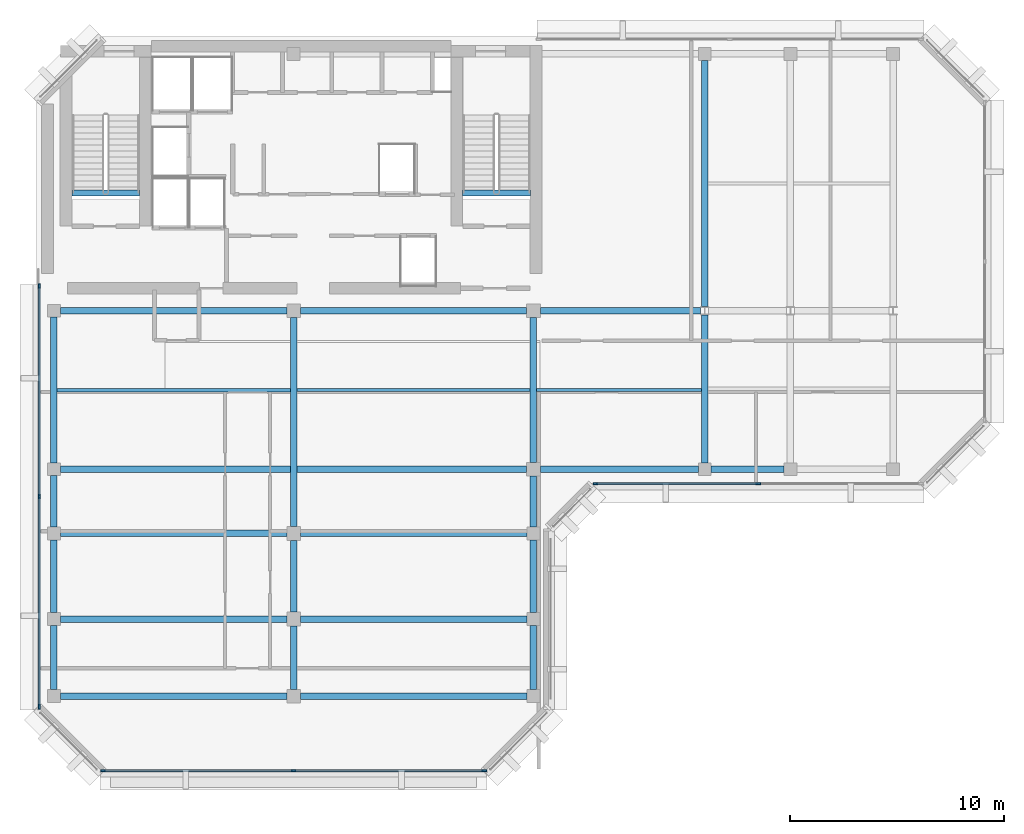
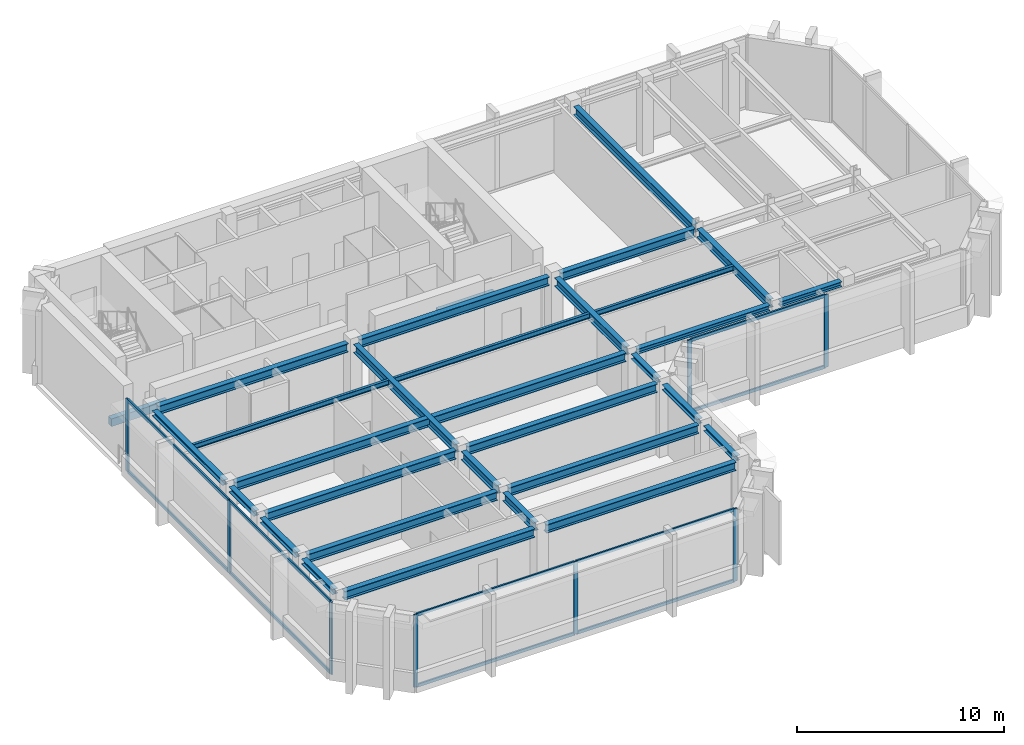
# One storey, part 2 of 9: 30 beams, 18 members, 3 elements without a shape of their own.
"""IFC4 building model written with IfcOpenShell, lengths in metres."""

from ifc_helpers import new_model, si_unit, direction, frame, origin, origin_2d, place, context, subcontext, project, spatial, rectangle, i_section, extrude, material, layer, layer_set, material_profile, profile_set, type_object, element, aggregate, save


model = new_model("IFC4")

# Units and contexts
model_context = context("Model", 3, precision=1e-05, world=origin(), true_north=direction((0.0, 1.0)))
body_context = subcontext(model_context, "Body", "Model", "MODEL_VIEW")
ifc_project = project(units=[si_unit("LENGTHUNIT", "METRE"), si_unit("AREAUNIT", "SQUARE_METRE"), si_unit("VOLUMEUNIT", "CUBIC_METRE"), si_unit("PLANEANGLEUNIT", "RADIAN"), si_unit("MASSUNIT", "GRAM", prefix="KILO")], contexts=[model_context])

# Site, building, storey
site_placement = place(None, origin())
site = spatial("IfcSite", under=ifc_project, at=site_placement, CompositionType="ELEMENT")
building_placement = place(site_placement, origin())
building = spatial("IfcBuilding", under=site, at=building_placement, Name="Kefirva Bronze Tower", CompositionType="ELEMENT")
storey_placement = place(building_placement, frame((0.0, 0.0, 361.35009765625)))
storey = spatial("IfcBuildingStorey", under=building, at=storey_placement, Name="L88", CompositionType="ELEMENT", Elevation=361.35009765625)

# Curtain wall, members
ifc_material_1 = material(Name="Bronze anodised aluminium", Category="aluminium")
ifc_layer = layer(ifc_material_1, 0.219970703125, Name="Bronze anodised aluminium")
ifc_layer_set = layer_set([ifc_layer], Name="Bronze anodised aluminium")
curtain_wall_type = type_object("IfcCurtainWallType", Name="Slanted Crown Faceted Bronze Curtain Wall", PredefinedType="USERDEFINED", material=ifc_layer_set)
curtain_wall_1_placement = place(storey_placement, origin())
curtain_wall_1 = element("IfcCurtainWall", 1, at=curtain_wall_1_placement, inside=storey, type_object=curtain_wall_type, Name="L88 Curtain Wall 1", ObjectType="UNITISED CURTAIN WALL", PredefinedType="USERDEFINED")
ifc_material_profile_1 = material_profile(ifc_material_1, rectangle(XDim=0.090087890625, YDim=0.219970703125, at=origin_2d()), Name="ALU 90x220")
ifc_profile_set_1 = profile_set([ifc_material_profile_1], Name="Bronze anodised aluminium")
member_type_1 = type_object("IfcMemberType", Name="Bronze Mullion 90x220", PredefinedType="MULLION", material=ifc_profile_set_1)
member_1_placement = place(storey_placement, frame((3.10009765625, 11.719970703125, 0.0), z_axis=(0.0, 0.0, 1.0), x_axis=(0.0, 1.0, 0.0)))
member_1 = element("IfcMember", 2, at=member_1_placement, type_object=member_type_1, Name="CW-07 mullion 1", PredefinedType="MULLION", context=body_context, shape_type="SweptSolid", body=[
    extrude(rectangle(XDim=0.090087890625, YDim=0.219970703125, at=origin_2d()), origin(), (0.0, 0.0, 1.0), 4.27001953125),
])
member_2_placement = place(storey_placement, frame((12.0, 11.719970703125, 0.0), z_axis=(0.0, 0.0, 1.0), x_axis=(0.0, 1.0, 0.0)))
member_2 = element("IfcMember", 3, at=member_2_placement, type_object=member_type_1, Name="CW-07 mullion 2", PredefinedType="MULLION", context=body_context, shape_type="SweptSolid", body=[
    extrude(rectangle(XDim=0.090087890625, YDim=0.219970703125, at=origin_2d()), origin(), (0.0, 0.0, 1.0), 4.27001953125),
])
member_3_placement = place(storey_placement, frame((20.89990234375, 11.719970703125, 0.0), z_axis=(0.0, 0.0, 1.0), x_axis=(0.0, 1.0, 0.0)))
member_3 = element("IfcMember", 4, at=member_3_placement, type_object=member_type_1, Name="CW-07 mullion 3", PredefinedType="MULLION", context=body_context, shape_type="SweptSolid", body=[
    extrude(rectangle(XDim=0.090087890625, YDim=0.219970703125, at=origin_2d()), origin(), (0.0, 0.0, 1.0), 4.27001953125),
])

curtain_wall_2_placement = place(storey_placement, origin())
curtain_wall_2 = element("IfcCurtainWall", 5, at=curtain_wall_2_placement, inside=storey, type_object=curtain_wall_type, Name="L88 Curtain Wall 2", ObjectType="UNITISED CURTAIN WALL", PredefinedType="USERDEFINED")
member_4_placement = place(storey_placement, frame((26.10009765625, 25.1201171875, 0.0), z_axis=(0.0, 0.0, 1.0), x_axis=(0.0, 1.0, 0.0)))
member_4 = element("IfcMember", 6, at=member_4_placement, type_object=member_type_1, Name="CW-07 mullion 1", PredefinedType="MULLION", context=body_context, shape_type="SweptSolid", body=[
    extrude(rectangle(XDim=0.090087890625, YDim=0.219970703125, at=origin_2d()), origin(), (0.0, 0.0, 1.0), 4.27001953125),
])
member_5_placement = place(storey_placement, frame((33.699951171875, 25.1201171875, 0.0), z_axis=(0.0, 0.0, 1.0), x_axis=(0.0, 1.0, 0.0)))
member_5 = element("IfcMember", 7, at=member_5_placement, type_object=member_type_1, Name="CW-07 mullion 2", PredefinedType="MULLION", context=body_context, shape_type="SweptSolid", body=[
    extrude(rectangle(XDim=0.090087890625, YDim=0.219970703125, at=origin_2d()), origin(), (0.0, 0.0, 1.0), 4.27001953125),
])

curtain_wall_3_placement = place(storey_placement, origin())
curtain_wall_3 = element("IfcCurtainWall", 8, at=curtain_wall_3_placement, inside=storey, type_object=curtain_wall_type, Name="L88 Curtain Wall 5", ObjectType="UNITISED CURTAIN WALL", PredefinedType="USERDEFINED")
member_6_placement = place(storey_placement, frame((0.1201171875, 34.35009765625, 0.0), z_axis=(0.0, 0.0, 1.0), x_axis=(1.0, 0.0, 0.0)))
member_6 = element("IfcMember", 9, at=member_6_placement, type_object=member_type_1, Name="CW-07 mullion 1", PredefinedType="MULLION", context=body_context, shape_type="SweptSolid", body=[
    extrude(rectangle(XDim=0.090087890625, YDim=0.219970703125, at=origin_2d()), origin(), (0.0, 0.0, 1.0), 4.27001953125),
])
member_7_placement = place(storey_placement, frame((0.1201171875, 24.52490234375, 0.0), z_axis=(0.0, 0.0, 1.0), x_axis=(1.0, 0.0, 0.0)))
member_7 = element("IfcMember", 10, at=member_7_placement, type_object=member_type_1, Name="CW-07 mullion 2", PredefinedType="MULLION", context=body_context, shape_type="SweptSolid", body=[
    extrude(rectangle(XDim=0.090087890625, YDim=0.219970703125, at=origin_2d()), origin(), (0.0, 0.0, 1.0), 4.27001953125),
])
member_8_placement = place(storey_placement, frame((0.1201171875, 14.699951171875, 0.0), z_axis=(0.0, 0.0, 1.0), x_axis=(1.0, 0.0, 0.0)))
member_8 = element("IfcMember", 11, at=member_8_placement, type_object=member_type_1, Name="CW-07 mullion 3", PredefinedType="MULLION", context=body_context, shape_type="SweptSolid", body=[
    extrude(rectangle(XDim=0.090087890625, YDim=0.219970703125, at=origin_2d()), origin(), (0.0, 0.0, 1.0), 4.27001953125),
])

# Member
ifc_material_profile_2 = material_profile(ifc_material_1, rectangle(XDim=0.090087890625, YDim=0.179931640625, at=origin_2d()), Name="ALU 90x180")
ifc_profile_set_2 = profile_set([ifc_material_profile_2], Name="Bronze anodised aluminium")
member_type_2 = type_object("IfcMemberType", Name="Bronze Transom 90x180", PredefinedType="USERDEFINED", material=ifc_profile_set_2)
member_9_placement = place(storey_placement, frame((3.14501953125, 11.719970703125, 0.044921875), z_axis=(1.0, 0.0, 0.0), x_axis=(0.0, 1.0, 0.0)))
member_9 = element("IfcMember", 12, at=member_9_placement, type_object=member_type_2, Name="CW-07 transom 1.1", ObjectType="TRANSOM", PredefinedType="USERDEFINED", context=body_context, shape_type="SweptSolid", body=[
    extrude(rectangle(XDim=0.090087890625, YDim=0.179931640625, at=origin_2d()), origin(), (0.0, 0.0, 1.0), 8.81005859375),
])

member_10_placement = place(storey_placement, frame((3.14501953125, 11.719970703125, 4.224853515625), z_axis=(1.0, 0.0, 0.0), x_axis=(0.0, 1.0, 0.0)))
member_10 = element("IfcMember", 13, at=member_10_placement, type_object=member_type_2, Name="CW-07 transom 1.2", ObjectType="TRANSOM", PredefinedType="USERDEFINED", context=body_context, shape_type="SweptSolid", body=[
    extrude(rectangle(XDim=0.090087890625, YDim=0.179931640625, at=origin_2d()), origin(), (0.0, 0.0, 1.0), 8.81005859375),
])

member_11_placement = place(storey_placement, frame((12.044921875, 11.719970703125, 0.044921875), z_axis=(1.0, 0.0, 0.0), x_axis=(0.0, 1.0, 0.0)))
member_11 = element("IfcMember", 14, at=member_11_placement, type_object=member_type_2, Name="CW-07 transom 2.1", ObjectType="TRANSOM", PredefinedType="USERDEFINED", context=body_context, shape_type="SweptSolid", body=[
    extrude(rectangle(XDim=0.090087890625, YDim=0.179931640625, at=origin_2d()), origin(), (0.0, 0.0, 1.0), 8.81005859375),
])

member_12_placement = place(storey_placement, frame((12.044921875, 11.719970703125, 4.224853515625), z_axis=(1.0, 0.0, 0.0), x_axis=(0.0, 1.0, 0.0)))
member_12 = element("IfcMember", 15, at=member_12_placement, type_object=member_type_2, Name="CW-07 transom 2.2", ObjectType="TRANSOM", PredefinedType="USERDEFINED", context=body_context, shape_type="SweptSolid", body=[
    extrude(rectangle(XDim=0.090087890625, YDim=0.179931640625, at=origin_2d()), origin(), (0.0, 0.0, 1.0), 8.81005859375),
])

aggregate(curtain_wall_1, [member_1, member_2, member_3, member_9, member_10, member_11, member_12])

member_13_placement = place(storey_placement, frame((26.14501953125, 25.1201171875, 0.044921875), z_axis=(1.0, 0.0, 0.0), x_axis=(0.0, 1.0, 0.0)))
member_13 = element("IfcMember", 16, at=member_13_placement, type_object=member_type_2, Name="CW-07 transom 1.1", ObjectType="TRANSOM", PredefinedType="USERDEFINED", context=body_context, shape_type="SweptSolid", body=[
    extrude(rectangle(XDim=0.090087890625, YDim=0.179931640625, at=origin_2d()), origin(), (0.0, 0.0, 1.0), 7.510009765625),
])

member_14_placement = place(storey_placement, frame((26.14501953125, 25.1201171875, 4.224853515625), z_axis=(1.0, 0.0, 0.0), x_axis=(0.0, 1.0, 0.0)))
member_14 = element("IfcMember", 17, at=member_14_placement, type_object=member_type_2, Name="CW-07 transom 1.2", ObjectType="TRANSOM", PredefinedType="USERDEFINED", context=body_context, shape_type="SweptSolid", body=[
    extrude(rectangle(XDim=0.090087890625, YDim=0.179931640625, at=origin_2d()), origin(), (0.0, 0.0, 1.0), 7.510009765625),
])

aggregate(curtain_wall_2, [member_4, member_5, member_13, member_14])

member_15_placement = place(storey_placement, frame((0.1201171875, 34.304931640625, 0.044921875), z_axis=(0.0, -1.0, 0.0), x_axis=(1.0, 0.0, 0.0)))
member_15 = element("IfcMember", 18, at=member_15_placement, type_object=member_type_2, Name="CW-07 transom 1.1", ObjectType="TRANSOM", PredefinedType="USERDEFINED", context=body_context, shape_type="SweptSolid", body=[
    extrude(rectangle(XDim=0.090087890625, YDim=0.179931640625, at=origin_2d()), origin(), (0.0, 0.0, 1.0), 9.73486328125),
])

member_16_placement = place(storey_placement, frame((0.1201171875, 34.304931640625, 4.224853515625), z_axis=(0.0, -1.0, 0.0), x_axis=(1.0, 0.0, 0.0)))
member_16 = element("IfcMember", 19, at=member_16_placement, type_object=member_type_2, Name="CW-07 transom 1.2", ObjectType="TRANSOM", PredefinedType="USERDEFINED", context=body_context, shape_type="SweptSolid", body=[
    extrude(rectangle(XDim=0.090087890625, YDim=0.179931640625, at=origin_2d()), origin(), (0.0, 0.0, 1.0), 9.73486328125),
])

member_17_placement = place(storey_placement, frame((0.1201171875, 24.47998046875, 0.044921875), z_axis=(0.0, -1.0, 0.0), x_axis=(1.0, 0.0, 0.0)))
member_17 = element("IfcMember", 20, at=member_17_placement, type_object=member_type_2, Name="CW-07 transom 2.1", ObjectType="TRANSOM", PredefinedType="USERDEFINED", context=body_context, shape_type="SweptSolid", body=[
    extrude(rectangle(XDim=0.090087890625, YDim=0.179931640625, at=origin_2d()), origin(), (0.0, 0.0, 1.0), 9.73486328125),
])

member_18_placement = place(storey_placement, frame((0.1201171875, 24.47998046875, 4.224853515625), z_axis=(0.0, -1.0, 0.0), x_axis=(1.0, 0.0, 0.0)))
member_18 = element("IfcMember", 21, at=member_18_placement, type_object=member_type_2, Name="CW-07 transom 2.2", ObjectType="TRANSOM", PredefinedType="USERDEFINED", context=body_context, shape_type="SweptSolid", body=[
    extrude(rectangle(XDim=0.090087890625, YDim=0.179931640625, at=origin_2d()), origin(), (0.0, 0.0, 1.0), 9.73486328125),
])

aggregate(curtain_wall_3, [member_6, member_7, member_8, member_15, member_16, member_17, member_18])

# Beams
ifc_material_2 = material(Name="Concrete C50/60", Category="concrete")
ifc_material_profile_3 = material_profile(ifc_material_2, rectangle(XDim=0.300048828125, YDim=0.449951171875, at=origin_2d()), Name="RC 300x450")
ifc_profile_set_3 = profile_set([ifc_material_profile_3], Name="Concrete C50/60")
beam_type_1 = type_object("IfcBeamType", Name="RC Stair Trimmer Beam 300x450", PredefinedType="BEAM", material=ifc_profile_set_3)
beam_1_placement = place(storey_placement, frame((1.64501953125, 38.699951171875, -0.22509765625), z_axis=(1.0, 0.0, 0.0), x_axis=(0.0, 1.0, 0.0)))
element("IfcBeam", 22, at=beam_1_placement, inside=storey, type_object=beam_type_1, Name="L88 Stair 1 Landing Trimmer Beam", PredefinedType="BEAM", context=body_context, shape_type="SweptSolid", body=[
    extrude(rectangle(XDim=0.300048828125, YDim=0.449951171875, at=origin_2d()), origin(), (0.0, 0.0, 1.0), 3.14990234375),
])
beam_2_placement = place(storey_placement, frame((19.89501953125, 38.699951171875, -0.22509765625), z_axis=(1.0, 0.0, 0.0), x_axis=(0.0, 1.0, 0.0)))
element("IfcBeam", 23, at=beam_2_placement, inside=storey, type_object=beam_type_1, Name="L88 Stair 2 Landing Trimmer Beam", PredefinedType="BEAM", context=body_context, shape_type="SweptSolid", body=[
    extrude(rectangle(XDim=0.300048828125, YDim=0.449951171875, at=origin_2d()), origin(), (0.0, 0.0, 1.0), 3.159912109375),
])
ifc_material_3 = material(Name="Steel S355", Category="steel")
ifc_material_profile_4 = material_profile(ifc_material_3, i_section(OverallWidth=0.14990234375, OverallDepth=0.300048828125, WebThickness=0.007080078125, FlangeThickness=0.0107421875, at=origin_2d()), Name="IPE 300")
ifc_profile_set_4 = profile_set([ifc_material_profile_4], Name="Steel S355")
beam_type_2 = type_object("IfcBeamType", Name="Steel Floor Joist IPE 300", PredefinedType="JOIST", material=ifc_profile_set_4)
for number, where, z_axis, x_axis, name in (
    (24, (0.949951171875, 29.489990234375, 4.119873046875), (1.0, 0.0, 0.0), (0.0, 1.0, 0.0), "L88 JST-L88-0-294"),
    (25, (12.14990234375, 29.5, 4.119873046875), (1.0, 0.0, 0.0), (0.0, 1.0, 0.0), "L88 JST-L88-12-295"),
):
    element("IfcBeam", number, at=place(storey_placement, frame(where, z_axis=z_axis, x_axis=x_axis)), inside=storey, type_object=beam_type_2, Name=name, PredefinedType="JOIST", context=body_context, shape_type="SweptSolid", body=[
        extrude(i_section(OverallWidth=0.14990234375, OverallDepth=0.300048828125, WebThickness=0.007080078125, FlangeThickness=0.0107421875, at=origin_2d()), origin(), (0.0, 0.0, 1.0), 10.900146484375),
    ])
beam_3_placement = place(storey_placement, frame((23.35009765625, 29.5, 4.119873046875), z_axis=(1.0, 0.0, 0.0), x_axis=(0.0, 1.0, 0.0)))
element("IfcBeam", 26, at=beam_3_placement, inside=storey, type_object=beam_type_2, Name="L88 JST-L88-23-295", PredefinedType="JOIST", context=body_context, shape_type="SweptSolid", body=[
    extrude(i_section(OverallWidth=0.14990234375, OverallDepth=0.300048828125, WebThickness=0.007080078125, FlangeThickness=0.0107421875, at=origin_2d()), origin(), (0.0, 0.0, 1.0), 7.699951171875),
])
ifc_material_profile_5 = material_profile(ifc_material_3, i_section(OverallWidth=0.300048828125, OverallDepth=0.5, WebThickness=0.014404296875, FlangeThickness=0.028076171875, at=origin_2d()), Name="HEB 500")
ifc_profile_set_5 = profile_set([ifc_material_profile_5], Name="Steel S355")
beam_type_3 = type_object("IfcBeamType", Name="Steel Girder HEB 500", PredefinedType="USERDEFINED", material=ifc_profile_set_5)
for number, where, z_axis, x_axis, name in (
    (27, (1.10009765625, 15.199951171875, 4.02001953125), (1.0, 0.0, 0.0), (0.0, 1.0, 0.0), "L88 BM-L88-EW-0-152"),
    (28, (12.320068359375, 15.199951171875, 4.02001953125), (1.0, 0.0, 0.0), (0.0, 1.0, 0.0), "L88 BM-L88-EW-12-152"),
    (29, (1.10009765625, 18.800048828125, 4.02001953125), (1.0, 0.0, 0.0), (0.0, 1.0, 0.0), "L88 BM-L88-EW-0-188"),
    (30, (12.320068359375, 18.800048828125, 4.02001953125), (1.0, 0.0, 0.0), (0.0, 1.0, 0.0), "L88 BM-L88-EW-12-188"),
    (31, (1.10009765625, 22.800048828125, 4.02001953125), (1.0, 0.0, 0.0), (0.0, 1.0, 0.0), "L88 BM-L88-EW-0-228"),
    (32, (12.320068359375, 22.800048828125, 4.02001953125), (1.0, 0.0, 0.0), (0.0, 1.0, 0.0), "L88 BM-L88-EW-12-228"),
):
    element("IfcBeam", number, at=place(storey_placement, frame(where, z_axis=z_axis, x_axis=x_axis)), inside=storey, type_object=beam_type_3, Name=name, ObjectType="GIRDER", PredefinedType="USERDEFINED", context=body_context, shape_type="SweptSolid", body=[
        extrude(i_section(OverallWidth=0.300048828125, OverallDepth=0.5, WebThickness=0.014404296875, FlangeThickness=0.028076171875, at=origin_2d()), origin(), (0.0, 0.0, 1.0), 10.579833984375),
    ])
beam_4_placement = place(storey_placement, frame((1.10009765625, 25.800048828125, 4.02001953125), z_axis=(1.0, 0.0, 0.0), x_axis=(0.0, 1.0, 0.0)))
element("IfcBeam", 33, at=beam_4_placement, inside=storey, type_object=beam_type_3, Name="L88 BM-L88-EW-0-258", ObjectType="GIRDER", PredefinedType="USERDEFINED", context=body_context, shape_type="SweptSolid", body=[
    extrude(i_section(OverallWidth=0.300048828125, OverallDepth=0.5, WebThickness=0.014404296875, FlangeThickness=0.028076171875, at=origin_2d()), origin(), (0.0, 0.0, 1.0), 21.77978515625),
])
beam_5_placement = place(storey_placement, frame((1.10009765625, 33.199951171875, 4.02001953125), z_axis=(1.0, 0.0, 0.0), x_axis=(0.0, 1.0, 0.0)))
element("IfcBeam", 34, at=beam_5_placement, inside=storey, type_object=beam_type_3, Name="L88 BM-L88-EW-0-332", ObjectType="GIRDER", PredefinedType="USERDEFINED", context=body_context, shape_type="SweptSolid", body=[
    extrude(i_section(OverallWidth=0.300048828125, OverallDepth=0.5, WebThickness=0.014404296875, FlangeThickness=0.028076171875, at=origin_2d()), origin(), (0.0, 0.0, 1.0), 10.579833984375),
])
beam_6_placement = place(storey_placement, frame((12.320068359375, 33.199951171875, 4.02001953125), z_axis=(1.0, 0.0, 0.0), x_axis=(0.0, 1.0, 0.0)))
element("IfcBeam", 35, at=beam_6_placement, inside=storey, type_object=beam_type_3, Name="L88 BM-L88-EW-12-332", ObjectType="GIRDER", PredefinedType="USERDEFINED", context=body_context, shape_type="SweptSolid", body=[
    extrude(i_section(OverallWidth=0.300048828125, OverallDepth=0.5, WebThickness=0.014404296875, FlangeThickness=0.028076171875, at=origin_2d()), origin(), (0.0, 0.0, 1.0), 10.559814453125),
])
beam_7_placement = place(storey_placement, frame((23.52001953125, 33.199951171875, 4.02001953125), z_axis=(1.0, 0.0, 0.0), x_axis=(0.0, 1.0, 0.0)))
element("IfcBeam", 36, at=beam_7_placement, inside=storey, type_object=beam_type_3, Name="L88 BM-L88-EW-23-332", ObjectType="GIRDER", PredefinedType="USERDEFINED", context=body_context, shape_type="SweptSolid", body=[
    extrude(i_section(OverallWidth=0.300048828125, OverallDepth=0.5, WebThickness=0.014404296875, FlangeThickness=0.028076171875, at=origin_2d()), origin(), (0.0, 0.0, 1.0), 7.491455078125),
])
beam_8_placement = place(storey_placement, frame((12.0, 15.52001953125, 4.02001953125), z_axis=(0.0, 1.0, 0.0), x_axis=(-1.0, 0.0, 0.0)))
element("IfcBeam", 37, at=beam_8_placement, inside=storey, type_object=beam_type_3, Name="L88 BM-L88-NS-120-15", ObjectType="GIRDER", PredefinedType="USERDEFINED", context=body_context, shape_type="SweptSolid", body=[
    extrude(i_section(OverallWidth=0.300048828125, OverallDepth=0.5, WebThickness=0.014404296875, FlangeThickness=0.028076171875, at=origin_2d()), origin(), (0.0, 0.0, 1.0), 2.9599609375),
])
beam_9_placement = place(storey_placement, frame((12.0, 19.1201171875, 4.02001953125), z_axis=(0.0, 1.0, 0.0), x_axis=(-1.0, 0.0, 0.0)))
element("IfcBeam", 38, at=beam_9_placement, inside=storey, type_object=beam_type_3, Name="L88 BM-L88-NS-120-18", ObjectType="GIRDER", PredefinedType="USERDEFINED", context=body_context, shape_type="SweptSolid", body=[
    extrude(i_section(OverallWidth=0.300048828125, OverallDepth=0.5, WebThickness=0.014404296875, FlangeThickness=0.028076171875, at=origin_2d()), origin(), (0.0, 0.0, 1.0), 3.35986328125),
])
beam_10_placement = place(storey_placement, frame((12.0, 23.1201171875, 4.02001953125), z_axis=(0.0, 1.0, 0.0), x_axis=(-1.0, 0.0, 0.0)))
element("IfcBeam", 39, at=beam_10_placement, inside=storey, type_object=beam_type_3, Name="L88 BM-L88-NS-120-22", ObjectType="GIRDER", PredefinedType="USERDEFINED", context=body_context, shape_type="SweptSolid", body=[
    extrude(i_section(OverallWidth=0.300048828125, OverallDepth=0.5, WebThickness=0.014404296875, FlangeThickness=0.028076171875, at=origin_2d()), origin(), (0.0, 0.0, 1.0), 9.759765625),
])
beam_11_placement = place(storey_placement, frame((23.199951171875, 26.1201171875, 4.02001953125), z_axis=(0.0, 1.0, 0.0), x_axis=(-1.0, 0.0, 0.0)))
element("IfcBeam", 40, at=beam_11_placement, inside=storey, type_object=beam_type_3, Name="L88 BM-L88-NS-232-25", ObjectType="GIRDER", PredefinedType="USERDEFINED", context=body_context, shape_type="SweptSolid", body=[
    extrude(i_section(OverallWidth=0.300048828125, OverallDepth=0.5, WebThickness=0.014404296875, FlangeThickness=0.028076171875, at=origin_2d()), origin(), (0.0, 0.0, 1.0), 6.759765625),
])
beam_12_placement = place(storey_placement, frame((31.199951171875, 26.10009765625, 4.02001953125), z_axis=(0.0, 1.0, 0.0), x_axis=(-1.0, 0.0, 0.0)))
element("IfcBeam", 41, at=beam_12_placement, inside=storey, type_object=beam_type_3, Name="L88 BM-L88-NS-312-25", ObjectType="GIRDER", PredefinedType="USERDEFINED", context=body_context, shape_type="SweptSolid", body=[
    extrude(i_section(OverallWidth=0.300048828125, OverallDepth=0.5, WebThickness=0.014404296875, FlangeThickness=0.028076171875, at=origin_2d()), origin(), (0.0, 0.0, 1.0), 6.906494140625),
])
beam_13_placement = place(storey_placement, frame((31.199951171875, 33.3935546875, 4.02001953125), z_axis=(0.0, 1.0, 0.0), x_axis=(-1.0, 0.0, 0.0)))
element("IfcBeam", 42, at=beam_13_placement, inside=storey, type_object=beam_type_3, Name="L88 BM-L88-NS-312-33", ObjectType="GIRDER", PredefinedType="USERDEFINED", context=body_context, shape_type="SweptSolid", body=[
    extrude(i_section(OverallWidth=0.300048828125, OverallDepth=0.5, WebThickness=0.014404296875, FlangeThickness=0.028076171875, at=origin_2d()), origin(), (0.0, 0.0, 1.0), 11.50634765625),
])
ifc_material_profile_6 = material_profile(ifc_material_3, i_section(OverallWidth=0.300048828125, OverallDepth=0.300048828125, WebThickness=0.010986328125, FlangeThickness=0.01904296875, at=origin_2d()), Name="HEB 300")
ifc_profile_set_6 = profile_set([ifc_material_profile_6], Name="Steel S355")
beam_type_4 = type_object("IfcBeamType", Name="Steel Spandrel HEB 300 Ext", PredefinedType="SPANDREL", material=ifc_profile_set_6)
beam_14_placement = place(storey_placement, frame((23.52001953125, 25.800048828125, 4.119873046875), z_axis=(1.0, 0.0, 0.0), x_axis=(0.0, 1.0, 0.0)))
element("IfcBeam", 43, at=beam_14_placement, inside=storey, type_object=beam_type_4, Name="L88 BM-L88-EW-23-258", PredefinedType="SPANDREL", context=body_context, shape_type="SweptSolid", body=[
    extrude(i_section(OverallWidth=0.300048828125, OverallDepth=0.300048828125, WebThickness=0.010986328125, FlangeThickness=0.01904296875, at=origin_2d()), origin(), (0.0, 0.0, 1.0), 7.3798828125),
])
beam_15_placement = place(storey_placement, frame((31.5, 25.800048828125, 4.119873046875), z_axis=(1.0, 0.0, 0.0), x_axis=(0.0, 1.0, 0.0)))
element("IfcBeam", 44, at=beam_15_placement, inside=storey, type_object=beam_type_4, Name="L88 BM-L88-EW-31-258", PredefinedType="SPANDREL", context=body_context, shape_type="SweptSolid", body=[
    extrude(i_section(OverallWidth=0.300048828125, OverallDepth=0.300048828125, WebThickness=0.010986328125, FlangeThickness=0.01904296875, at=origin_2d()), origin(), (0.0, 0.0, 1.0), 3.39990234375),
])
beam_16_placement = place(storey_placement, frame((0.800048828125, 15.5, 4.119873046875), z_axis=(0.0, 1.0, 0.0), x_axis=(-1.0, 0.0, 0.0)))
element("IfcBeam", 45, at=beam_16_placement, inside=storey, type_object=beam_type_4, Name="L88 BM-L88-NS-8-15", PredefinedType="SPANDREL", context=body_context, shape_type="SweptSolid", body=[
    extrude(i_section(OverallWidth=0.300048828125, OverallDepth=0.300048828125, WebThickness=0.010986328125, FlangeThickness=0.01904296875, at=origin_2d()), origin(), (0.0, 0.0, 1.0), 3.0),
])
beam_17_placement = place(storey_placement, frame((0.800048828125, 19.10009765625, 4.119873046875), z_axis=(0.0, 1.0, 0.0), x_axis=(-1.0, 0.0, 0.0)))
element("IfcBeam", 46, at=beam_17_placement, inside=storey, type_object=beam_type_4, Name="L88 BM-L88-NS-8-18", PredefinedType="SPANDREL", context=body_context, shape_type="SweptSolid", body=[
    extrude(i_section(OverallWidth=0.300048828125, OverallDepth=0.300048828125, WebThickness=0.010986328125, FlangeThickness=0.01904296875, at=origin_2d()), origin(), (0.0, 0.0, 1.0), 3.39990234375),
])
beam_18_placement = place(storey_placement, frame((0.800048828125, 23.10009765625, 4.119873046875), z_axis=(0.0, 1.0, 0.0), x_axis=(-1.0, 0.0, 0.0)))
element("IfcBeam", 47, at=beam_18_placement, inside=storey, type_object=beam_type_4, Name="L88 BM-L88-NS-8-22", PredefinedType="SPANDREL", context=body_context, shape_type="SweptSolid", body=[
    extrude(i_section(OverallWidth=0.300048828125, OverallDepth=0.300048828125, WebThickness=0.010986328125, FlangeThickness=0.01904296875, at=origin_2d()), origin(), (0.0, 0.0, 1.0), 2.39990234375),
])
beam_19_placement = place(storey_placement, frame((0.800048828125, 26.10009765625, 4.119873046875), z_axis=(0.0, 1.0, 0.0), x_axis=(-1.0, 0.0, 0.0)))
element("IfcBeam", 48, at=beam_19_placement, inside=storey, type_object=beam_type_4, Name="L88 BM-L88-NS-8-25", PredefinedType="SPANDREL", context=body_context, shape_type="SweptSolid", body=[
    extrude(i_section(OverallWidth=0.300048828125, OverallDepth=0.300048828125, WebThickness=0.010986328125, FlangeThickness=0.01904296875, at=origin_2d()), origin(), (0.0, 0.0, 1.0), 6.7998046875),
])
beam_20_placement = place(storey_placement, frame((23.199951171875, 15.5, 4.119873046875), z_axis=(0.0, 1.0, 0.0), x_axis=(-1.0, 0.0, 0.0)))
element("IfcBeam", 49, at=beam_20_placement, inside=storey, type_object=beam_type_4, Name="L88 BM-L88-NS-232-15", PredefinedType="SPANDREL", context=body_context, shape_type="SweptSolid", body=[
    extrude(i_section(OverallWidth=0.300048828125, OverallDepth=0.300048828125, WebThickness=0.010986328125, FlangeThickness=0.01904296875, at=origin_2d()), origin(), (0.0, 0.0, 1.0), 3.0),
])
beam_21_placement = place(storey_placement, frame((23.199951171875, 19.10009765625, 4.119873046875), z_axis=(0.0, 1.0, 0.0), x_axis=(-1.0, 0.0, 0.0)))
element("IfcBeam", 50, at=beam_21_placement, inside=storey, type_object=beam_type_4, Name="L88 BM-L88-NS-232-18", PredefinedType="SPANDREL", context=body_context, shape_type="SweptSolid", body=[
    extrude(i_section(OverallWidth=0.300048828125, OverallDepth=0.300048828125, WebThickness=0.010986328125, FlangeThickness=0.01904296875, at=origin_2d()), origin(), (0.0, 0.0, 1.0), 3.39990234375),
])
beam_22_placement = place(storey_placement, frame((23.199951171875, 23.10009765625, 4.119873046875), z_axis=(0.0, 1.0, 0.0), x_axis=(-1.0, 0.0, 0.0)))
element("IfcBeam", 51, at=beam_22_placement, inside=storey, type_object=beam_type_4, Name="L88 BM-L88-NS-232-22", PredefinedType="SPANDREL", context=body_context, shape_type="SweptSolid", body=[
    extrude(i_section(OverallWidth=0.300048828125, OverallDepth=0.300048828125, WebThickness=0.010986328125, FlangeThickness=0.01904296875, at=origin_2d()), origin(), (0.0, 0.0, 1.0), 2.3798828125),
])

save(model, "model.ifc")
